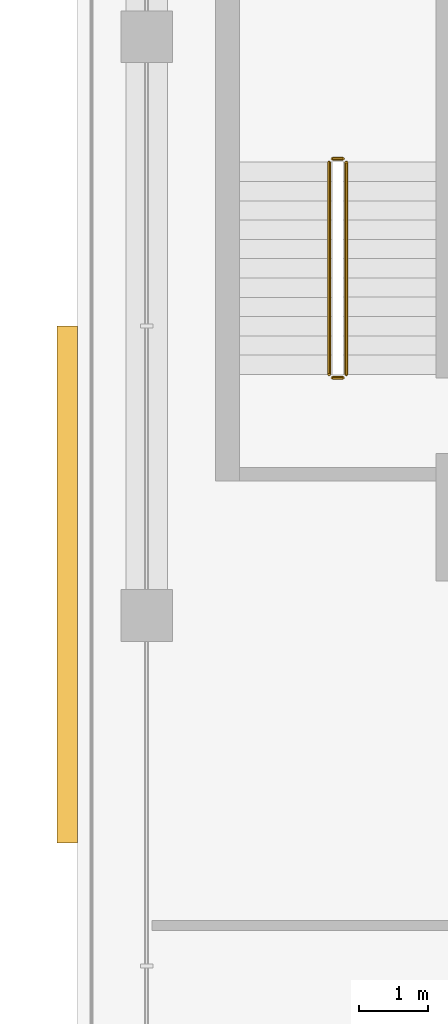
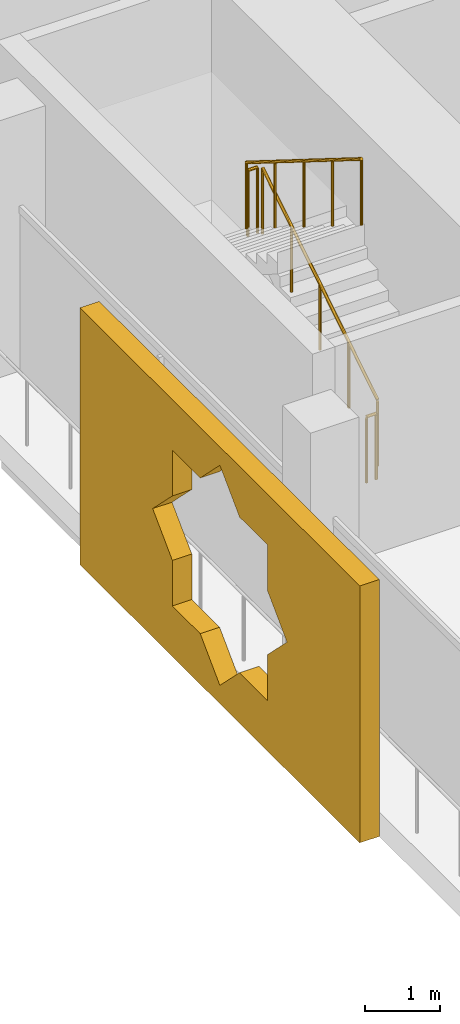
# One storey, part 16 of 20: 4 railings, 1 covering.
"""IFC4 building model written with IfcOpenShell, lengths in metres."""

from ifc_helpers import new_model, si_unit, direction, frame, origin, origin_2d, place, context, subcontext, project, spatial, polyline, circle, outline, extrude, material, material_profile, profile_set, type_object, element, save


model = new_model("IFC4")

# Units and contexts
model_context = context("Model", 3, precision=1e-05, world=origin(), true_north=direction((0.0, 1.0)))
body_context = subcontext(model_context, "Body", "Model", "MODEL_VIEW")
ifc_project = project(units=[si_unit("LENGTHUNIT", "METRE"), si_unit("AREAUNIT", "SQUARE_METRE"), si_unit("VOLUMEUNIT", "CUBIC_METRE"), si_unit("PLANEANGLEUNIT", "RADIAN"), si_unit("MASSUNIT", "GRAM", prefix="KILO")], contexts=[model_context])

# Site, building, storey
site_placement = place(None, origin())
site = spatial("IfcSite", under=ifc_project, at=site_placement, CompositionType="ELEMENT")
building_placement = place(site_placement, origin())
building = spatial("IfcBuilding", under=site, at=building_placement, Name="Kawkab Arch Medical Tower", CompositionType="ELEMENT")
storey_placement = place(building_placement, frame((0.0, 0.0, 290.199951171875)))
storey = spatial("IfcBuildingStorey", under=building, at=storey_placement, Name="L67", CompositionType="ELEMENT", Elevation=290.199951171875)

# Covering
ifc_material_1 = material(Name="Bronze anodised aluminium mashrabiya panel, eight-point star pattern", Category="aluminium")
ifc_material_profile = material_profile(ifc_material_1, outline(polyline([(-3.75, -2.10009765625), (3.75, -2.10009765625), (3.75, 2.10009765625), (-3.75, 2.10009765625), (-3.75, -2.10009765625)]), holes=[polyline([(1.800048828125, 0.0), (1.272705078125, 0.527099609375), (1.272705078125, 1.272705078125), (0.527099609375, 1.272705078125), (0.0, 1.800048828125), (-0.527099609375, 1.272705078125), (-1.272705078125, 1.272705078125), (-1.272705078125, 0.527099609375), (-1.800048828125, 0.0), (-1.272705078125, -0.527099609375), (-1.272705078125, -1.272705078125), (-0.527099609375, -1.272705078125), (0.0, -1.800048828125), (0.527099609375, -1.272705078125), (1.272705078125, -1.272705078125), (1.272705078125, -0.527099609375), (1.800048828125, 0.0)])]), Name="Mashrabiya panel 7500x4200")
ifc_profile_set = profile_set([ifc_material_profile], Name="Bronze anodised aluminium mashrabiya panel, eight-point star pattern")
covering_type = type_object("IfcCoveringType", Name="Mashrabiya panel 7500 x 4200", PredefinedType="USERDEFINED", material=ifc_profile_set)
covering_placement = place(storey_placement, frame((-1.0, -24.75048828125, 1.699951171875), z_axis=(-1.0, 0.0, 0.0), x_axis=(0.0, -1.0, 0.0)))
element("IfcCovering", 1, at=covering_placement, inside=storey, type_object=covering_type, Name="Mashrabiya panel L67.LOG-01-01.2", ObjectType="SCREEN", PredefinedType="USERDEFINED", context=body_context, shape_type="SweptSolid", body=[
    extrude(outline(polyline([(-3.75, -2.10009765625), (3.75, -2.10009765625), (3.75, 2.10009765625), (-3.75, 2.10009765625), (-3.75, -2.10009765625)]), holes=[polyline([(1.800048828125, 0.0), (1.272705078125, 0.527099609375), (1.272705078125, 1.272705078125), (0.527099609375, 1.272705078125), (0.0, 1.800048828125), (-0.527099609375, 1.272705078125), (-1.272705078125, 1.272705078125), (-1.272705078125, 0.527099609375), (-1.800048828125, 0.0), (-1.272705078125, -0.527099609375), (-1.272705078125, -1.272705078125), (-0.527099609375, -1.272705078125), (0.0, -1.800048828125), (0.527099609375, -1.272705078125), (1.272705078125, -1.272705078125), (1.272705078125, -0.527099609375), (1.800048828125, 0.0)])]), origin(), (0.0, 0.0, 1.0), 0.300048828125),
])

# Railings
ifc_material_2 = material(Name="Stainless steel", Category="steel")
railing_type = type_object("IfcRailingType", Name="Stair guard 1100", PredefinedType="GUARDRAIL", material=ifc_material_2)
railing_1_placement = place(storey_placement, frame((2.89990234375, -21.699951171875, 0.175048828125)))
element("IfcRailing", 2, at=railing_1_placement, inside=storey, type_object=railing_type, Name="L67 ST2 stair guard 1", PredefinedType="GUARDRAIL", context=body_context, shape_type="SweptSolid", body=[
    extrude(circle(Radius=0.02392578125, at=origin_2d()), frame((0.0, 0.0, 1.076171875), z_axis=(0.0, 0.847979421464, 0.530029150871), x_axis=(-1.0, 0.0, 0.0)), (0.0, 0.0, 1.0), 3.632080078125),
    extrude(circle(Radius=0.02099609375, at=origin_2d()), origin(), (0.0, 0.0, 1.0), 1.052001953125),
    extrude(circle(Radius=0.02099609375, at=origin_2d()), frame((0.0, 0.77001953125, 0.481201171875)), (0.0, 0.0, 1.0), 1.052001953125),
    extrude(circle(Radius=0.02099609375, at=origin_2d()), frame((0.0, 1.5400390625, 0.96240234375)), (0.0, 0.0, 1.0), 1.052001953125),
    extrude(circle(Radius=0.02099609375, at=origin_2d()), frame((0.0, 2.309814453125, 1.44384765625)), (0.0, 0.0, 1.0), 1.052001953125),
    extrude(circle(Radius=0.02099609375, at=origin_2d()), frame((0.0, 3.079833984375, 1.925048828125)), (0.0, 0.0, 1.0), 1.052001953125),
])
railing_2_placement = place(storey_placement, frame((2.85009765625, -18.570068359375, 2.10009765625)))
element("IfcRailing", 3, at=railing_2_placement, inside=storey, type_object=railing_type, Name="L67 ST2 stair guard 2", PredefinedType="GUARDRAIL", context=body_context, shape_type="SweptSolid", body=[
    extrude(circle(Radius=0.02392578125, at=origin_2d()), frame((0.0, 0.0, 1.076171875), z_axis=(-1.0, 0.0, 0.0), x_axis=(0.0, -1.0, 0.0)), (0.0, 0.0, 1.0), 0.150146484375),
    extrude(circle(Radius=0.02099609375, at=origin_2d()), origin(), (0.0, 0.0, 1.0), 1.052001953125),
    extrude(circle(Radius=0.02099609375, at=origin_2d()), frame((-0.150146484375, 0.0, 0.0)), (0.0, 0.0, 1.0), 1.052001953125),
])
railing_3_placement = place(storey_placement, frame((2.64990234375, -18.6201171875, 2.275146484375)))
element("IfcRailing", 4, at=railing_3_placement, inside=storey, type_object=railing_type, Name="L67 ST2 stair guard 3", PredefinedType="GUARDRAIL", context=body_context, shape_type="SweptSolid", body=[
    extrude(circle(Radius=0.02392578125, at=origin_2d()), frame((0.0, 0.0, 1.076171875), z_axis=(0.0, -0.848009633417, 0.529980812513), x_axis=(1.0, 0.0, 0.0)), (0.0, 0.0, 1.0), 3.6318359375),
    extrude(circle(Radius=0.02099609375, at=origin_2d()), origin(), (0.0, 0.0, 1.0), 1.052001953125),
    extrude(circle(Radius=0.02099609375, at=origin_2d()), frame((0.0, -0.77001953125, 0.481201171875)), (0.0, 0.0, 1.0), 1.052001953125),
    extrude(circle(Radius=0.02099609375, at=origin_2d()), frame((0.0, -1.5400390625, 0.96240234375)), (0.0, 0.0, 1.0), 1.052001953125),
    extrude(circle(Radius=0.02099609375, at=origin_2d()), frame((0.0, -2.309814453125, 1.443603515625)), (0.0, 0.0, 1.0), 1.052001953125),
    extrude(circle(Radius=0.02099609375, at=origin_2d()), frame((0.0, -3.079833984375, 1.9248046875)), (0.0, 0.0, 1.0), 1.052001953125),
])
railing_4_placement = place(storey_placement, frame((2.85009765625, -21.75, 0.0)))
element("IfcRailing", 5, at=railing_4_placement, inside=storey, type_object=railing_type, Name="L67 ST2 stair guard 4", PredefinedType="GUARDRAIL", context=body_context, shape_type="SweptSolid", body=[
    extrude(circle(Radius=0.02392578125, at=origin_2d()), frame((0.0, 0.0, 1.076171875), z_axis=(-1.0, 0.0, 0.0), x_axis=(0.0, -1.0, 0.0)), (0.0, 0.0, 1.0), 0.150146484375),
    extrude(circle(Radius=0.02099609375, at=origin_2d()), origin(), (0.0, 0.0, 1.0), 1.052001953125),
    extrude(circle(Radius=0.02099609375, at=origin_2d()), frame((-0.150146484375, 0.0, 0.0)), (0.0, 0.0, 1.0), 1.052001953125),
])

save(model, "model.ifc")
